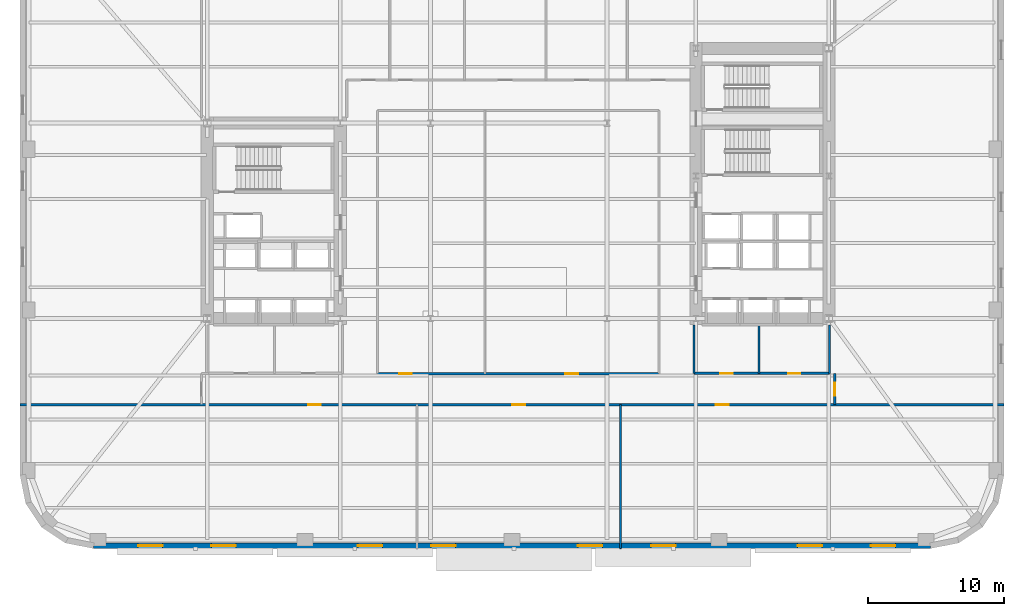
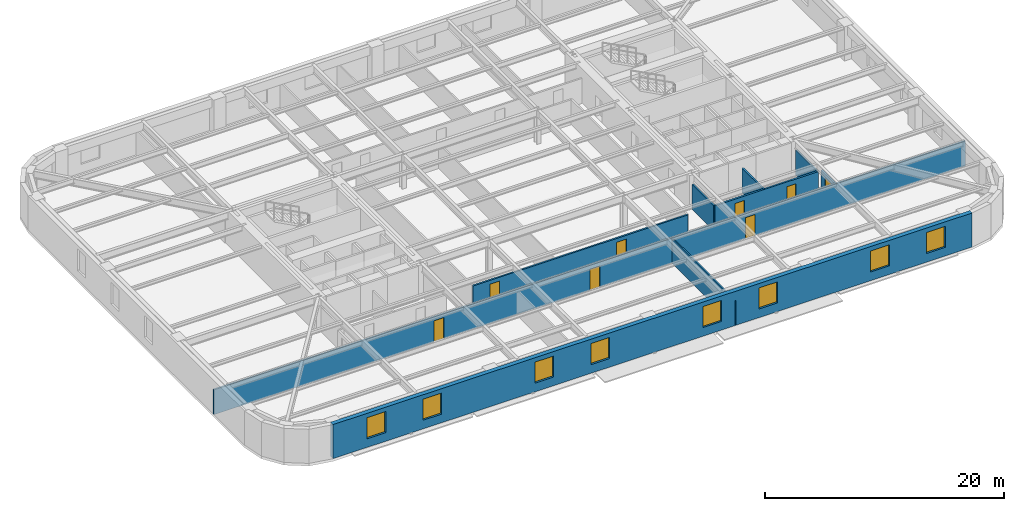
# One storey, part 5 of 14: 9 walls, 8 doors, 8 windows, 16 openings.
"""IFC4 building model written with IfcOpenShell, lengths in metres."""

from ifc_helpers import new_model, si_unit, direction, frame, frame_2d, origin, place, context, subcontext, project, spatial, rectangle, extrude, material, layer, layer_set, type_object, element, fill, save


model = new_model("IFC4")

# Units and contexts
model_context = context("Model", 3, precision=1e-05, world=origin(), true_north=direction((0.0, 1.0)))
body_context = subcontext(model_context, "Body", "Model", "MODEL_VIEW")
ifc_project = project(units=[si_unit("LENGTHUNIT", "METRE"), si_unit("AREAUNIT", "SQUARE_METRE"), si_unit("VOLUMEUNIT", "CUBIC_METRE"), si_unit("PLANEANGLEUNIT", "RADIAN"), si_unit("MASSUNIT", "GRAM", prefix="KILO")], contexts=[model_context])

# Site, building, storey
site_placement = place(None, origin())
site = spatial("IfcSite", under=ifc_project, at=site_placement, CompositionType="ELEMENT")
building_placement = place(site_placement, origin())
building = spatial("IfcBuilding", under=site, at=building_placement, Name="Kolvaren Arena Tower", CompositionType="ELEMENT")
storey_placement = place(building_placement, frame((0.0, 0.0, 53.25)))
storey = spatial("IfcBuildingStorey", under=building, at=storey_placement, Name="L10", CompositionType="ELEMENT", Elevation=53.25)

# Wall, openings, doors
ifc_material_1 = material(Name="Gypsum board acoustic assembly", Category="gypsum")
ifc_layer_1 = layer(ifc_material_1, 0.159912109375)
ifc_layer_set_1 = layer_set([ifc_layer_1], Name="Gypsum board acoustic assembly")
wall_type_1 = type_object("IfcWallType", Name="CORR-160", PredefinedType="PARTITIONING", material=ifc_layer_set_1)
wall_1_placement = place(storey_placement, frame((0.75, 13.10009765625, 0.0), z_axis=(0.0, 0.0, 1.0), x_axis=(1.0, 0.0, 0.0)))
wall_1 = element("IfcWall", 1, at=wall_1_placement, inside=storey, type_object=wall_type_1, Name="Interior Partition Wall (L10)", PredefinedType="PARTITIONING", context=body_context, shape_type="SweptSolid", body=[
    extrude(rectangle(XDim=72.5, YDim=0.159912109375, at=frame_2d((36.25, 0.0))), origin(), (0.0, 0.0, 1.0), 2.5400390625),
])
opening_1_placement = place(wall_1_placement, frame((21.22509765625, 0.0, 0.0)))
opening_1 = element("IfcOpeningElement", 2, at=opening_1_placement, cuts=wall_1, Name="Opening D05", PredefinedType="OPENING", context=body_context, shape_type="SweptSolid", body=[
    extrude(rectangle(XDim=0.949951171875, YDim=2.14990234375, at=frame_2d((0.47509765625, 1.074951171875))), frame((0.0, 0.08984375, 0.0), z_axis=(0.0, -1.0, 0.0), x_axis=(1.0, 0.0, 0.0)), (0.0, 0.0, 1.0), 0.179931640625),
])
opening_2_placement = place(wall_1_placement, frame((36.27490234375, 0.0, 0.0)))
opening_2 = element("IfcOpeningElement", 3, at=opening_2_placement, cuts=wall_1, Name="Opening D05", PredefinedType="OPENING", context=body_context, shape_type="SweptSolid", body=[
    extrude(rectangle(XDim=0.949951171875, YDim=2.14990234375, at=frame_2d((0.47509765625, 1.074951171875))), frame((0.0, 0.08984375, 0.0), z_axis=(0.0, -1.0, 0.0), x_axis=(1.0, 0.0, 0.0)), (0.0, 0.0, 1.0), 0.179931640625),
])
opening_3_placement = place(wall_1_placement, frame((51.27490234375, 0.0, 0.0)))
opening_3 = element("IfcOpeningElement", 4, at=opening_3_placement, cuts=wall_1, Name="Opening D05", PredefinedType="OPENING", context=body_context, shape_type="SweptSolid", body=[
    extrude(rectangle(XDim=0.949951171875, YDim=2.14990234375, at=frame_2d((0.47509765625, 1.074951171875))), frame((0.0, 0.08984375, 0.0), z_axis=(0.0, -1.0, 0.0), x_axis=(1.0, 0.0, 0.0)), (0.0, 0.0, 1.0), 0.179931640625),
])
ifc_material_2 = material(Name="Solid-core oak acoustic office door", Category="wood")
door_type_1 = type_object("IfcDoorType", Name="DOOR-OF-095", OperationType="NOTDEFINED", PredefinedType="DOOR", material=ifc_material_2)
door_1_placement = place(opening_1_placement, origin())
door_1 = element("IfcDoor", 5, at=door_1_placement, inside=storey, type_object=door_type_1, Name="Open Plan Office Door (L10)", OperationType="SINGLE_SWING_RIGHT", OverallHeight=2.14990234375, OverallWidth=0.949951171875, PredefinedType="DOOR", context=body_context, shape_type="SweptSolid", body=[
    extrude(rectangle(XDim=0.949951171875, YDim=2.14990234375, at=frame_2d((0.47509765625, 1.074951171875))), frame((0.0, 0.02490234375, 0.0), z_axis=(0.0, -1.0, 0.0), x_axis=(1.0, 0.0, 0.0)), (0.0, 0.0, 1.0), 0.050048828125),
])
fill(opening_1, door_1)
door_2_placement = place(opening_2_placement, origin())
door_2 = element("IfcDoor", 6, at=door_2_placement, inside=storey, type_object=door_type_1, Name="Tenant Reception Area Door (L10)", OperationType="SINGLE_SWING_LEFT", OverallHeight=2.14990234375, OverallWidth=0.949951171875, PredefinedType="DOOR", context=body_context, shape_type="SweptSolid", body=[
    extrude(rectangle(XDim=0.949951171875, YDim=2.14990234375, at=frame_2d((0.47509765625, 1.074951171875))), frame((0.0, 0.02490234375, 0.0), z_axis=(0.0, -1.0, 0.0), x_axis=(1.0, 0.0, 0.0)), (0.0, 0.0, 1.0), 0.050048828125),
])
fill(opening_2, door_2)
door_3_placement = place(opening_3_placement, origin())
door_3 = element("IfcDoor", 7, at=door_3_placement, inside=storey, type_object=door_type_1, Name="Open Plan Office Door (L10)", OperationType="SINGLE_SWING_RIGHT", OverallHeight=2.14990234375, OverallWidth=0.949951171875, PredefinedType="DOOR", context=body_context, shape_type="SweptSolid", body=[
    extrude(rectangle(XDim=0.949951171875, YDim=2.14990234375, at=frame_2d((0.47509765625, 1.074951171875))), frame((0.0, 0.02490234375, 0.0), z_axis=(0.0, -1.0, 0.0), x_axis=(1.0, 0.0, 0.0)), (0.0, 0.0, 1.0), 0.050048828125),
])
fill(opening_3, door_3)

wall_2_placement = place(storey_placement, frame((27.080078125, 15.3798828125, 0.0), z_axis=(0.0, 0.0, 1.0), x_axis=(1.0, 0.0, 0.0)))
wall_2 = element("IfcWall", 8, at=wall_2_placement, inside=storey, type_object=wall_type_1, Name="Interior Partition Wall (L10)", PredefinedType="PARTITIONING", context=body_context, shape_type="SweptSolid", body=[
    extrude(rectangle(XDim=20.739990234375, YDim=0.159912109375, at=frame_2d((10.3701171875, 0.0))), origin(), (0.0, 0.0, 1.0), 2.5400390625),
])
opening_4_placement = place(wall_2_placement, frame((1.594970703125, 0.0, 0.0)))
opening_4 = element("IfcOpeningElement", 9, at=opening_4_placement, cuts=wall_2, Name="Opening D05", PredefinedType="OPENING", context=body_context, shape_type="SweptSolid", body=[
    extrude(rectangle(XDim=0.949951171875, YDim=2.14990234375, at=frame_2d((0.47509765625, 1.074951171875))), frame((0.0, 0.08984375, 0.0), z_axis=(0.0, -1.0, 0.0), x_axis=(1.0, 0.0, 0.0)), (0.0, 0.0, 1.0), 0.179931640625),
])
opening_5_placement = place(wall_2_placement, frame((13.844970703125, 0.0, 0.0)))
opening_5 = element("IfcOpeningElement", 10, at=opening_5_placement, cuts=wall_2, Name="Opening D05", PredefinedType="OPENING", context=body_context, shape_type="SweptSolid", body=[
    extrude(rectangle(XDim=0.949951171875, YDim=2.14990234375, at=frame_2d((0.47509765625, 1.074951171875))), frame((0.0, 0.08984375, 0.0), z_axis=(0.0, -1.0, 0.0), x_axis=(1.0, 0.0, 0.0)), (0.0, 0.0, 1.0), 0.179931640625),
])
door_4_placement = place(opening_4_placement, origin())
door_4 = element("IfcDoor", 11, at=door_4_placement, inside=storey, type_object=door_type_1, Name="Open Plan Office Door (L10)", OperationType="SINGLE_SWING_RIGHT", OverallHeight=2.14990234375, OverallWidth=0.949951171875, PredefinedType="DOOR", context=body_context, shape_type="SweptSolid", body=[
    extrude(rectangle(XDim=0.949951171875, YDim=2.14990234375, at=frame_2d((0.47509765625, 1.074951171875))), frame((0.0, 0.02490234375, 0.0), z_axis=(0.0, -1.0, 0.0), x_axis=(1.0, 0.0, 0.0)), (0.0, 0.0, 1.0), 0.050048828125),
])
fill(opening_4, door_4)
door_5_placement = place(opening_5_placement, origin())
door_5 = element("IfcDoor", 12, at=door_5_placement, inside=storey, type_object=door_type_1, Name="Collaborative Work Studio Door (L10)", OperationType="SINGLE_SWING_LEFT", OverallHeight=2.14990234375, OverallWidth=0.949951171875, PredefinedType="DOOR", context=body_context, shape_type="SweptSolid", body=[
    extrude(rectangle(XDim=0.949951171875, YDim=2.14990234375, at=frame_2d((0.47509765625, 1.074951171875))), frame((0.0, 0.02490234375, 0.0), z_axis=(0.0, -1.0, 0.0), x_axis=(1.0, 0.0, 0.0)), (0.0, 0.0, 1.0), 0.050048828125),
])
fill(opening_5, door_5)

# Wall, opening, door
wall_3_placement = place(storey_placement, frame((60.780029296875, 13.10009765625, 0.0), z_axis=(0.0, 0.0, 1.0), x_axis=(0.0, 1.0, 0.0)))
wall_3 = element("IfcWall", 13, at=wall_3_placement, inside=storey, type_object=wall_type_1, Name="Interior Partition Wall (L10)", PredefinedType="PARTITIONING", context=body_context, shape_type="SweptSolid", body=[
    extrude(rectangle(XDim=2.2998046875, YDim=0.159912109375, at=frame_2d((1.14990234375, 0.0))), origin(), (0.0, 0.0, 1.0), 2.5400390625),
])
opening_6_placement = place(wall_3_placement, frame((0.64990234375, 0.0, 0.0)))
opening_6 = element("IfcOpeningElement", 14, at=opening_6_placement, cuts=wall_3, Name="Opening D05", PredefinedType="OPENING", context=body_context, shape_type="SweptSolid", body=[
    extrude(rectangle(XDim=0.949951171875, YDim=2.14990234375, at=frame_2d((0.47509765625, 1.074951171875))), frame((0.0, 0.08984375, 0.0), z_axis=(0.0, -1.0, 0.0), x_axis=(1.0, 0.0, 0.0)), (0.0, 0.0, 1.0), 0.179931640625),
])
door_6_placement = place(opening_6_placement, origin())
door_6 = element("IfcDoor", 15, at=door_6_placement, inside=storey, type_object=door_type_1, Name="East Wing Studio Door (L10)", OperationType="SINGLE_SWING_RIGHT", OverallHeight=2.14990234375, OverallWidth=0.949951171875, PredefinedType="DOOR", context=body_context, shape_type="SweptSolid", body=[
    extrude(rectangle(XDim=0.949951171875, YDim=2.14990234375, at=frame_2d((0.47509765625, 1.074951171875))), frame((0.0, 0.02490234375, 0.0), z_axis=(0.0, -1.0, 0.0), x_axis=(1.0, 0.0, 0.0)), (0.0, 0.0, 1.0), 0.050048828125),
])
fill(opening_6, door_6)

# Wall, openings, windows
ifc_material_3 = material(Name="Precast concrete C50/60", Category="concrete")
ifc_layer_2 = layer(ifc_material_3, 0.419921875)
ifc_layer_set_2 = layer_set([ifc_layer_2], Name="Precast concrete C50/60")
wall_type_2 = type_object("IfcWallType", Name="EXT-PIER1", PredefinedType="SOLIDWALL", material=ifc_layer_set_2)
wall_4_placement = place(storey_placement, frame((67.85009765625, 2.7099609375, 0.0), z_axis=(0.0, 0.0, 1.0), x_axis=(-1.0, 0.0, 0.0)))
wall_4 = element("IfcWall", 16, at=wall_4_placement, inside=storey, type_object=wall_type_2, Name="Exterior Precast Masonry-Frame Wall (L10)", PredefinedType="SOLIDWALL", context=body_context, shape_type="SweptSolid", body=[
    extrude(rectangle(XDim=61.7001953125, YDim=0.419921875, at=frame_2d((30.85009765625, 0.0))), origin(), (0.0, 0.0, 1.0), 3.47998046875),
])
opening_7_placement = place(wall_4_placement, frame((2.60009765625, 0.0, 0.8798828125)))
opening_7 = element("IfcOpeningElement", 17, at=opening_7_placement, cuts=wall_4, Name="Opening W02", PredefinedType="OPENING", context=body_context, shape_type="SweptSolid", body=[
    extrude(rectangle(XDim=1.800048828125, YDim=2.14990234375, at=frame_2d((0.89990234375, 1.074951171875))), frame((0.0, 0.219970703125, 0.0), z_axis=(0.0, -1.0, 0.0), x_axis=(1.0, 0.0, 0.0)), (0.0, 0.0, 1.0), 0.43994140625),
])
opening_8_placement = place(wall_4_placement, frame((8.0, 0.0, 0.8798828125)))
opening_8 = element("IfcOpeningElement", 18, at=opening_8_placement, cuts=wall_4, Name="Opening W02", PredefinedType="OPENING", context=body_context, shape_type="SweptSolid", body=[
    extrude(rectangle(XDim=1.800048828125, YDim=2.14990234375, at=frame_2d((0.89990234375, 1.074951171875))), frame((0.0, 0.219970703125, 0.0), z_axis=(0.0, -1.0, 0.0), x_axis=(1.0, 0.0, 0.0)), (0.0, 0.0, 1.0), 0.43994140625),
])
opening_9_placement = place(wall_4_placement, frame((18.800048828125, 0.0, 0.8798828125)))
opening_9 = element("IfcOpeningElement", 19, at=opening_9_placement, cuts=wall_4, Name="Opening W02", PredefinedType="OPENING", context=body_context, shape_type="SweptSolid", body=[
    extrude(rectangle(XDim=1.800048828125, YDim=2.14990234375, at=frame_2d((0.89990234375, 1.074951171875))), frame((0.0, 0.219970703125, 0.0), z_axis=(0.0, -1.0, 0.0), x_axis=(1.0, 0.0, 0.0)), (0.0, 0.0, 1.0), 0.43994140625),
])
opening_10_placement = place(wall_4_placement, frame((24.199951171875, 0.0, 0.8798828125)))
opening_10 = element("IfcOpeningElement", 20, at=opening_10_placement, cuts=wall_4, Name="Opening W02", PredefinedType="OPENING", context=body_context, shape_type="SweptSolid", body=[
    extrude(rectangle(XDim=1.800048828125, YDim=2.14990234375, at=frame_2d((0.89990234375, 1.074951171875))), frame((0.0, 0.219970703125, 0.0), z_axis=(0.0, -1.0, 0.0), x_axis=(1.0, 0.0, 0.0)), (0.0, 0.0, 1.0), 0.43994140625),
])
opening_11_placement = place(wall_4_placement, frame((35.0, 0.0, 0.8798828125)))
opening_11 = element("IfcOpeningElement", 21, at=opening_11_placement, cuts=wall_4, Name="Opening W02", PredefinedType="OPENING", context=body_context, shape_type="SweptSolid", body=[
    extrude(rectangle(XDim=1.800048828125, YDim=2.14990234375, at=frame_2d((0.89990234375, 1.074951171875))), frame((0.0, 0.219970703125, 0.0), z_axis=(0.0, -1.0, 0.0), x_axis=(1.0, 0.0, 0.0)), (0.0, 0.0, 1.0), 0.43994140625),
])
opening_12_placement = place(wall_4_placement, frame((40.39990234375, 0.0, 0.8798828125)))
opening_12 = element("IfcOpeningElement", 22, at=opening_12_placement, cuts=wall_4, Name="Opening W02", PredefinedType="OPENING", context=body_context, shape_type="SweptSolid", body=[
    extrude(rectangle(XDim=1.800048828125, YDim=2.14990234375, at=frame_2d((0.89990234375, 1.074951171875))), frame((0.0, 0.219970703125, 0.0), z_axis=(0.0, -1.0, 0.0), x_axis=(1.0, 0.0, 0.0)), (0.0, 0.0, 1.0), 0.43994140625),
])
opening_13_placement = place(wall_4_placement, frame((51.199951171875, 0.0, 0.8798828125)))
opening_13 = element("IfcOpeningElement", 23, at=opening_13_placement, cuts=wall_4, Name="Opening W02", PredefinedType="OPENING", context=body_context, shape_type="SweptSolid", body=[
    extrude(rectangle(XDim=1.800048828125, YDim=2.14990234375, at=frame_2d((0.89990234375, 1.074951171875))), frame((0.0, 0.219970703125, 0.0), z_axis=(0.0, -1.0, 0.0), x_axis=(1.0, 0.0, 0.0)), (0.0, 0.0, 1.0), 0.43994140625),
])
opening_14_placement = place(wall_4_placement, frame((56.60009765625, 0.0, 0.8798828125)))
opening_14 = element("IfcOpeningElement", 24, at=opening_14_placement, cuts=wall_4, Name="Opening W02", PredefinedType="OPENING", context=body_context, shape_type="SweptSolid", body=[
    extrude(rectangle(XDim=1.800048828125, YDim=2.14990234375, at=frame_2d((0.89990234375, 1.074951171875))), frame((0.0, 0.219970703125, 0.0), z_axis=(0.0, -1.0, 0.0), x_axis=(1.0, 0.0, 0.0)), (0.0, 0.0, 1.0), 0.43994140625),
])
ifc_material_4 = material(Name="Triple-glazed low-E aluminium window", Category="aluminium")
window_type = type_object("IfcWindowType", Name="WIN-OFF-B", PartitioningType="DOUBLE_PANEL_VERTICAL", PredefinedType="WINDOW", material=ifc_material_4)
window_1_placement = place(opening_7_placement, origin())
window_1 = element("IfcWindow", 25, at=window_1_placement, inside=storey, type_object=window_type, Name="Punched Precast-Pier Window (L10)", OverallHeight=2.14990234375, OverallWidth=1.800048828125, PartitioningType="DOUBLE_PANEL_VERTICAL", PredefinedType="WINDOW", context=body_context, shape_type="SweptSolid", body=[
    extrude(rectangle(XDim=1.800048828125, YDim=2.14990234375, at=frame_2d((0.89990234375, 1.074951171875))), frame((0.0, 0.030029296875, 0.0), z_axis=(0.0, -1.0, 0.0), x_axis=(1.0, 0.0, 0.0)), (0.0, 0.0, 1.0), 0.06005859375),
])
fill(opening_7, window_1)
window_2_placement = place(opening_8_placement, origin())
window_2 = element("IfcWindow", 26, at=window_2_placement, inside=storey, type_object=window_type, Name="Punched Precast-Pier Window (L10)", OverallHeight=2.14990234375, OverallWidth=1.800048828125, PartitioningType="DOUBLE_PANEL_VERTICAL", PredefinedType="WINDOW", context=body_context, shape_type="SweptSolid", body=[
    extrude(rectangle(XDim=1.800048828125, YDim=2.14990234375, at=frame_2d((0.89990234375, 1.074951171875))), frame((0.0, 0.030029296875, 0.0), z_axis=(0.0, -1.0, 0.0), x_axis=(1.0, 0.0, 0.0)), (0.0, 0.0, 1.0), 0.06005859375),
])
fill(opening_8, window_2)
window_3_placement = place(opening_9_placement, origin())
window_3 = element("IfcWindow", 27, at=window_3_placement, inside=storey, type_object=window_type, Name="Punched Precast-Pier Window (L10)", OverallHeight=2.14990234375, OverallWidth=1.800048828125, PartitioningType="DOUBLE_PANEL_VERTICAL", PredefinedType="WINDOW", context=body_context, shape_type="SweptSolid", body=[
    extrude(rectangle(XDim=1.800048828125, YDim=2.14990234375, at=frame_2d((0.89990234375, 1.074951171875))), frame((0.0, 0.030029296875, 0.0), z_axis=(0.0, -1.0, 0.0), x_axis=(1.0, 0.0, 0.0)), (0.0, 0.0, 1.0), 0.06005859375),
])
fill(opening_9, window_3)
window_4_placement = place(opening_10_placement, origin())
window_4 = element("IfcWindow", 28, at=window_4_placement, inside=storey, type_object=window_type, Name="Punched Precast-Pier Window (L10)", OverallHeight=2.14990234375, OverallWidth=1.800048828125, PartitioningType="DOUBLE_PANEL_VERTICAL", PredefinedType="WINDOW", context=body_context, shape_type="SweptSolid", body=[
    extrude(rectangle(XDim=1.800048828125, YDim=2.14990234375, at=frame_2d((0.89990234375, 1.074951171875))), frame((0.0, 0.030029296875, 0.0), z_axis=(0.0, -1.0, 0.0), x_axis=(1.0, 0.0, 0.0)), (0.0, 0.0, 1.0), 0.06005859375),
])
fill(opening_10, window_4)
window_5_placement = place(opening_11_placement, origin())
window_5 = element("IfcWindow", 29, at=window_5_placement, inside=storey, type_object=window_type, Name="Punched Precast-Pier Window (L10)", OverallHeight=2.14990234375, OverallWidth=1.800048828125, PartitioningType="DOUBLE_PANEL_VERTICAL", PredefinedType="WINDOW", context=body_context, shape_type="SweptSolid", body=[
    extrude(rectangle(XDim=1.800048828125, YDim=2.14990234375, at=frame_2d((0.89990234375, 1.074951171875))), frame((0.0, 0.030029296875, 0.0), z_axis=(0.0, -1.0, 0.0), x_axis=(1.0, 0.0, 0.0)), (0.0, 0.0, 1.0), 0.06005859375),
])
fill(opening_11, window_5)
window_6_placement = place(opening_12_placement, origin())
window_6 = element("IfcWindow", 30, at=window_6_placement, inside=storey, type_object=window_type, Name="Punched Precast-Pier Window (L10)", OverallHeight=2.14990234375, OverallWidth=1.800048828125, PartitioningType="DOUBLE_PANEL_VERTICAL", PredefinedType="WINDOW", context=body_context, shape_type="SweptSolid", body=[
    extrude(rectangle(XDim=1.800048828125, YDim=2.14990234375, at=frame_2d((0.89990234375, 1.074951171875))), frame((0.0, 0.030029296875, 0.0), z_axis=(0.0, -1.0, 0.0), x_axis=(1.0, 0.0, 0.0)), (0.0, 0.0, 1.0), 0.06005859375),
])
fill(opening_12, window_6)
window_7_placement = place(opening_13_placement, origin())
window_7 = element("IfcWindow", 31, at=window_7_placement, inside=storey, type_object=window_type, Name="Punched Precast-Pier Window (L10)", OverallHeight=2.14990234375, OverallWidth=1.800048828125, PartitioningType="DOUBLE_PANEL_VERTICAL", PredefinedType="WINDOW", context=body_context, shape_type="SweptSolid", body=[
    extrude(rectangle(XDim=1.800048828125, YDim=2.14990234375, at=frame_2d((0.89990234375, 1.074951171875))), frame((0.0, 0.030029296875, 0.0), z_axis=(0.0, -1.0, 0.0), x_axis=(1.0, 0.0, 0.0)), (0.0, 0.0, 1.0), 0.06005859375),
])
fill(opening_13, window_7)
window_8_placement = place(opening_14_placement, origin())
window_8 = element("IfcWindow", 32, at=window_8_placement, inside=storey, type_object=window_type, Name="Punched Precast-Pier Window (L10)", OverallHeight=2.14990234375, OverallWidth=1.800048828125, PartitioningType="DOUBLE_PANEL_VERTICAL", PredefinedType="WINDOW", context=body_context, shape_type="SweptSolid", body=[
    extrude(rectangle(XDim=1.800048828125, YDim=2.14990234375, at=frame_2d((0.89990234375, 1.074951171875))), frame((0.0, 0.030029296875, 0.0), z_axis=(0.0, -1.0, 0.0), x_axis=(1.0, 0.0, 0.0)), (0.0, 0.0, 1.0), 0.06005859375),
])
fill(opening_14, window_8)

# Wall
ifc_material_5 = material(Name="Gypsum board partition assembly", Category="gypsum")
ifc_layer_3 = layer(ifc_material_5, 0.135009765625)
ifc_layer_set_3 = layer_set([ifc_layer_3], Name="Gypsum board partition assembly")
wall_type_3 = type_object("IfcWallType", Name="PART-135", PredefinedType="PARTITIONING", material=ifc_layer_set_3)
wall_5_placement = place(storey_placement, frame((45.0, 2.5, 0.0), z_axis=(0.0, 0.0, 1.0), x_axis=(0.0, 1.0, 0.0)))
element("IfcWall", 33, at=wall_5_placement, inside=storey, type_object=wall_type_3, Name="Interior Partition Wall (L10)", PredefinedType="PARTITIONING", context=body_context, shape_type="SweptSolid", body=[
    extrude(rectangle(XDim=10.60009765625, YDim=0.135009765625, at=frame_2d((5.300048828125, 0.0))), origin(), (0.0, 0.0, 1.0), 2.5400390625),
])

# Wall, openings, doors
ifc_material_6 = material(Name="Concrete 45 MPa", Category="concrete")
ifc_layer_4 = layer(ifc_material_6, 0.25)
ifc_layer_set_4 = layer_set([ifc_layer_4], Name="Concrete 45 MPa")
wall_type_4 = type_object("IfcWallType", Name="SHAFT-250", PredefinedType="SOLIDWALL", material=ifc_layer_set_4)
wall_6_placement = place(storey_placement, frame((50.39990234375, 15.39990234375, 0.0), z_axis=(0.0, 0.0, 1.0), x_axis=(1.0, 0.0, 0.0)))
wall_6 = element("IfcWall", 34, at=wall_6_placement, inside=storey, type_object=wall_type_4, Name="Interior Partition Wall (L10)", PredefinedType="SOLIDWALL", context=body_context, shape_type="SweptSolid", body=[
    extrude(rectangle(XDim=10.0, YDim=0.179931640625, at=frame_2d((5.0, 0.0))), origin(), (0.0, 0.0, 1.0), 2.5400390625),
])
opening_15_placement = place(wall_6_placement, frame((1.93994140625, 0.0, 0.0)))
opening_15 = element("IfcOpeningElement", 35, at=opening_15_placement, cuts=wall_6, Name="Opening D07", PredefinedType="OPENING", context=body_context, shape_type="SweptSolid", body=[
    extrude(rectangle(XDim=0.919921875, YDim=2.10009765625, at=frame_2d((0.4599609375, 1.050048828125))), frame((0.0, 0.099853515625, 0.0), z_axis=(0.0, -1.0, 0.0), x_axis=(1.0, 0.0, 0.0)), (0.0, 0.0, 1.0), 0.199951171875),
])
opening_16_placement = place(wall_6_placement, frame((6.969970703125, 0.0, 0.0)))
opening_16 = element("IfcOpeningElement", 36, at=opening_16_placement, cuts=wall_6, Name="Opening D09", PredefinedType="OPENING", context=body_context, shape_type="SweptSolid", body=[
    extrude(rectangle(XDim=0.860107421875, YDim=2.050048828125, at=frame_2d((0.43017578125, 1.02490234375))), frame((0.0, 0.099853515625, 0.0), z_axis=(0.0, -1.0, 0.0), x_axis=(1.0, 0.0, 0.0)), (0.0, 0.0, 1.0), 0.199951171875),
])
ifc_material_7 = material(Name="Fire-rated steel riser access door", Category="steel")
door_type_2 = type_object("IfcDoorType", Name="DOOR-RS-086", OperationType="NOTDEFINED", PredefinedType="DOOR", material=ifc_material_7)
door_7_placement = place(opening_16_placement, origin())
door_7 = element("IfcDoor", 37, at=door_7_placement, inside=storey, type_object=door_type_2, Name="Electrical Riser Closet Door (L10)", OperationType="SINGLE_SWING_LEFT", OverallHeight=2.050048828125, OverallWidth=0.860107421875, PredefinedType="DOOR", context=body_context, shape_type="SweptSolid", body=[
    extrude(rectangle(XDim=0.860107421875, YDim=2.050048828125, at=frame_2d((0.43017578125, 1.02490234375))), frame((0.0, 0.02490234375, 0.0), z_axis=(0.0, -1.0, 0.0), x_axis=(1.0, 0.0, 0.0)), (0.0, 0.0, 1.0), 0.050048828125),
])
fill(opening_16, door_7)
ifc_material_8 = material(Name="Laminate universal washroom door", Category="wood")
door_type_3 = type_object("IfcDoorType", Name="DOOR-WC-092", OperationType="NOTDEFINED", PredefinedType="DOOR", material=ifc_material_8)
door_8_placement = place(opening_15_placement, origin())
door_8 = element("IfcDoor", 38, at=door_8_placement, inside=storey, type_object=door_type_3, Name="Cleaner and Janitor Store Door (L10)", OperationType="SINGLE_SWING_RIGHT", OverallHeight=2.10009765625, OverallWidth=0.919921875, PredefinedType="DOOR", context=body_context, shape_type="SweptSolid", body=[
    extrude(rectangle(XDim=0.919921875, YDim=2.10009765625, at=frame_2d((0.4599609375, 1.050048828125))), frame((0.0, 0.02490234375, 0.0), z_axis=(0.0, -1.0, 0.0), x_axis=(1.0, 0.0, 0.0)), (0.0, 0.0, 1.0), 0.050048828125),
])
fill(opening_15, door_8)

# Walls
ifc_material_9 = material(Name="Moisture-resistant gypsum assembly", Category="gypsum")
ifc_layer_5 = layer(ifc_material_9, 0.14990234375)
ifc_layer_set_5 = layer_set([ifc_layer_5], Name="Moisture-resistant gypsum assembly")
wall_type_5 = type_object("IfcWallType", Name="WETW-150", PredefinedType="PARTITIONING", material=ifc_layer_set_5)
for number, where, z_axis, x_axis, name in (
    (39, (55.199951171875, 15.39990234375, 0.0), (0.0, 0.0, 1.0), (0.0, 1.0, 0.0), "Interior Partition Wall (L10)"),
    (40, (50.39990234375, 15.39990234375, 0.0), (0.0, 0.0, 1.0), (0.0, 1.0, 0.0), "Interior Partition Wall (L10)"),
    (41, (60.39990234375, 15.39990234375, 0.0), (0.0, 0.0, 1.0), (0.0, 1.0, 0.0), "Interior Partition Wall (L10)"),
):
    element("IfcWall", number, at=place(storey_placement, frame(where, z_axis=z_axis, x_axis=x_axis)), inside=storey, type_object=wall_type_5, Name=name, PredefinedType="PARTITIONING", context=body_context, shape_type="SweptSolid", body=[
        extrude(rectangle(XDim=3.580078125, YDim=0.14990234375, at=frame_2d((1.7900390625, 0.0))), origin(), (0.0, 0.0, 1.0), 2.5400390625),
    ])

save(model, "model.ifc")
